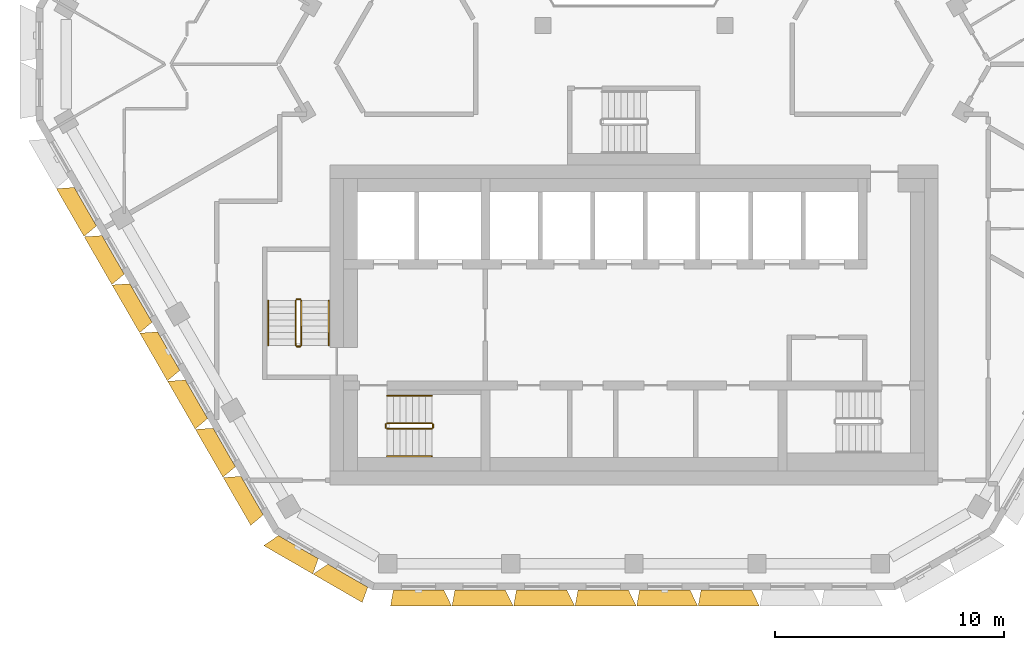
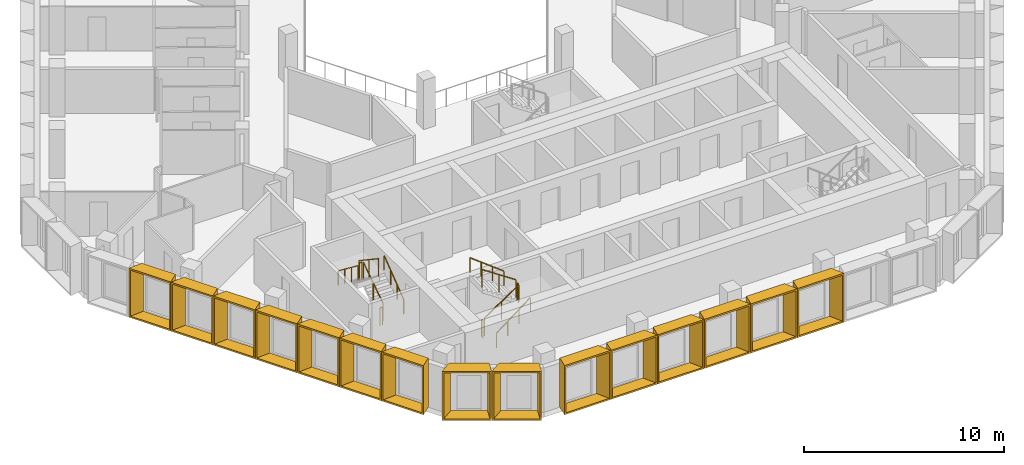
# One storey, part 14 of 18: 15 shading devices, 12 railings.
"""IFC4 building model written with IfcOpenShell, lengths in metres."""

from ifc_helpers import new_model, entity, si_unit, direction, frame, origin, origin_2d, place, context, subcontext, project, spatial, rectangle, extrude, source, transform, mapped, material, type_object, type_shapes, element, save


model = new_model("IFC4")

# Units and contexts
model_context = context("Model", 3, precision=1e-05, world=origin(), true_north=direction((0.0, 1.0)))
body_context = subcontext(model_context, "Body", "Model", "MODEL_VIEW")
ifc_project = project(units=[si_unit("LENGTHUNIT", "METRE"), si_unit("AREAUNIT", "SQUARE_METRE"), si_unit("VOLUMEUNIT", "CUBIC_METRE"), si_unit("PLANEANGLEUNIT", "RADIAN"), si_unit("MASSUNIT", "GRAM", prefix="KILO")], contexts=[model_context])

# Site, building, storey
site_placement = place(None, origin())
site = spatial("IfcSite", under=ifc_project, at=site_placement, CompositionType="ELEMENT")
building_placement = place(site_placement, origin())
building = spatial("IfcBuilding", under=site, at=building_placement, Name="Beryl Residences", CompositionType="ELEMENT")
storey_placement = place(building_placement, frame((0.0, 0.0, 190.199951171875)))
storey = spatial("IfcBuildingStorey", under=building, at=storey_placement, Name="L58", CompositionType="ELEMENT", Elevation=190.199951171875)

# Shading devices
ifc_material_1 = material(Name="Aluminium pale anodised", Category="aluminium")
shading_device_type_1 = type_object("IfcShadingDeviceType", Name="FR243-70B OUTER SKIN frame 700 mm deep, splay 26/10 deg, 2430 x 3000 mm cell", PredefinedType="USERDEFINED", material=ifc_material_1)
cartesian_point_1 = entity("IfcCartesianPoint", [-0.972412109375, 0.0])
cartesian_point_2 = entity("IfcCartesianPoint", [-0.883544921875, 0.10009765625])
cartesian_point_3 = entity("IfcCartesianPoint", [-1.31396484375, 0.0])
cartesian_point_4 = entity("IfcCartesianPoint", [-1.224853515625, 0.10009765625])
shared_shape_1 = source(origin(), body_context, "Body", "SweptSolid", [
    entity("IfcExtrudedAreaSolidTapered", entity("IfcArbitraryProfileDefWithVoids", "AREA", None, entity("IfcPolyline", [cartesian_point_1, entity("IfcCartesianPoint", [0.972412109375, 0.0]), entity("IfcCartesianPoint", [0.972412109375, 3.0]), entity("IfcCartesianPoint", [-0.972412109375, 3.0]), cartesian_point_1]), [entity("IfcPolyline", [cartesian_point_2, entity("IfcCartesianPoint", [0.891357421875, 0.10009765625]), entity("IfcCartesianPoint", [0.891357421875, 2.89990234375]), entity("IfcCartesianPoint", [-0.883544921875, 2.89990234375]), cartesian_point_2])]), entity("IfcAxis2Placement3D", entity("IfcCartesianPoint", [0.0, 0.0, 0.0]), entity("IfcDirection", [0.0, 1.0, 0.0]), entity("IfcDirection", [-1.0, 0.0, 0.0])), entity("IfcDirection", [0.0, 0.0, 1.0]), 0.699951171875, entity("IfcArbitraryProfileDefWithVoids", "AREA", None, entity("IfcPolyline", [cartesian_point_3, entity("IfcCartesianPoint", [1.095947265625, 0.0]), entity("IfcCartesianPoint", [1.095947265625, 3.0]), entity("IfcCartesianPoint", [-1.31396484375, 3.0]), cartesian_point_3]), [entity("IfcPolyline", [cartesian_point_4, entity("IfcCartesianPoint", [1.0146484375, 0.10009765625]), entity("IfcCartesianPoint", [1.0146484375, 2.89990234375]), entity("IfcCartesianPoint", [-1.224853515625, 2.89990234375]), cartesian_point_4])])),
])
type_shapes(shading_device_type_1, [shared_shape_1])
for number, where, z_axis, x_axis, name in (
    (1, (-23.9970703125, -6.833984375, 0.0), (0.0, 0.0, 1.0), (-0.5, 0.866025403784, 0.0), "FR243-70B frame L58 SW 2"),
    (2, (-22.781005859375, -8.93994140625, 0.0), (0.0, 0.0, 1.0), (-0.5, 0.866025403784, 0.0), "FR243-70B frame L58 SW 3"),
    (3, (-21.56494140625, -11.0458984375, 0.0), (0.0, 0.0, 1.0), (-0.5, 0.866025403784, 0.0), "FR243-70B frame L58 SW 4"),
    (4, (-20.35009765625, -13.152099609375, 0.0), (0.0, 0.0, 1.0), (-0.5, 0.866025403784, 0.0), "FR243-70B frame L58 SW 5"),
    (5, (-19.134033203125, -15.258056640625, 0.0), (0.0, 0.0, 1.0), (-0.5, 0.866025403784, 0.0), "FR243-70B frame L58 SW 6"),
    (6, (-17.91796875, -17.364990234375, 0.0), (0.0, 0.0, 1.0), (-0.5, 0.866025403784, 0.0), "FR243-70B frame L58 SW 7"),
    (7, (-16.701904296875, -19.470947265625, 0.0), (0.0, 0.0, 1.0), (-0.5, 0.866025403784, 0.0), "FR243-70B frame L58 SW 8"),
):
    element("IfcShadingDevice", number, at=place(storey_placement, frame(where, z_axis=z_axis, x_axis=x_axis)), inside=storey, type_object=shading_device_type_1, Name=name, ObjectType="OUTER SKIN", PredefinedType="USERDEFINED", context=body_context, shape_type="MappedRepresentation", body=[
        mapped(shared_shape_1, transform((0.0, 0.0, 0.0))),
    ])
ifc_material_2 = material(Name="Aluminium pale anodised", Category="aluminium")
shading_device_type_2 = type_object("IfcShadingDeviceType", Name="FR250-70B OUTER SKIN frame 700 mm deep, splay 26/10 deg, 2500 x 3000 mm cell", PredefinedType="USERDEFINED", material=ifc_material_2)
cartesian_point_5 = entity("IfcCartesianPoint", [-1.007568359375, 0.0])
cartesian_point_6 = entity("IfcCartesianPoint", [-0.91845703125, 0.10009765625])
cartesian_point_7 = entity("IfcCartesianPoint", [-1.348876953125, 0.0])
cartesian_point_8 = entity("IfcCartesianPoint", [-1.260009765625, 0.10009765625])
shared_shape_2 = source(origin(), body_context, "Body", "SweptSolid", [
    entity("IfcExtrudedAreaSolidTapered", entity("IfcArbitraryProfileDefWithVoids", "AREA", None, entity("IfcPolyline", [cartesian_point_5, entity("IfcCartesianPoint", [1.007568359375, 0.0]), entity("IfcCartesianPoint", [1.007568359375, 3.0]), entity("IfcCartesianPoint", [-1.007568359375, 3.0]), cartesian_point_5]), [entity("IfcPolyline", [cartesian_point_6, entity("IfcCartesianPoint", [0.92626953125, 0.10009765625]), entity("IfcCartesianPoint", [0.92626953125, 2.89990234375]), entity("IfcCartesianPoint", [-0.91845703125, 2.89990234375]), cartesian_point_6])]), entity("IfcAxis2Placement3D", entity("IfcCartesianPoint", [0.0, 0.0, 0.0]), entity("IfcDirection", [0.0, 1.0, 0.0]), entity("IfcDirection", [-1.0, 0.0, 0.0])), entity("IfcDirection", [0.0, 0.0, 1.0]), 0.699951171875, entity("IfcArbitraryProfileDefWithVoids", "AREA", None, entity("IfcPolyline", [cartesian_point_7, entity("IfcCartesianPoint", [1.130859375, 0.0]), entity("IfcCartesianPoint", [1.130859375, 3.0]), entity("IfcCartesianPoint", [-1.348876953125, 3.0]), cartesian_point_7]), [entity("IfcPolyline", [cartesian_point_8, entity("IfcCartesianPoint", [1.0498046875, 0.10009765625]), entity("IfcCartesianPoint", [1.0498046875, 2.89990234375]), entity("IfcCartesianPoint", [-1.260009765625, 2.89990234375]), cartesian_point_8])])),
])
type_shapes(shading_device_type_2, [shared_shape_2])
for number, where, z_axis, x_axis, name in (
    (8, (-14.677978515625, -21.72509765625, 0.0), (0.0, 0.0, 1.0), (-0.866025403784, 0.5, 0.0), "FR250-70B frame L58 SW-S 1"),
    (9, (-12.513916015625, -22.97509765625, 0.0), (0.0, 0.0, 1.0), (-0.866025403784, 0.5, 0.0), "FR250-70B frame L58 SW-S 2"),
):
    element("IfcShadingDevice", number, at=place(storey_placement, frame(where, z_axis=z_axis, x_axis=x_axis)), inside=storey, type_object=shading_device_type_2, Name=name, ObjectType="OUTER SKIN", PredefinedType="USERDEFINED", context=body_context, shape_type="MappedRepresentation", body=[
        mapped(shared_shape_2, transform((0.0, 0.0, 0.0))),
    ])
ifc_material_3 = material(Name="Aluminium pale anodised", Category="aluminium")
shading_device_type_3 = type_object("IfcShadingDeviceType", Name="FR269-70C OUTER SKIN frame 700 mm deep, splay 10/26 deg, 2690 x 3000 mm cell", PredefinedType="USERDEFINED", material=ifc_material_3)
cartesian_point_9 = entity("IfcCartesianPoint", [-1.1025390625, 0.0])
cartesian_point_10 = entity("IfcCartesianPoint", [-1.021240234375, 0.10009765625])
cartesian_point_11 = entity("IfcCartesianPoint", [-1.225830078125, 0.0])
cartesian_point_12 = entity("IfcCartesianPoint", [-1.144775390625, 0.10009765625])
shared_shape_3 = source(origin(), body_context, "Body", "SweptSolid", [
    entity("IfcExtrudedAreaSolidTapered", entity("IfcArbitraryProfileDefWithVoids", "AREA", None, entity("IfcPolyline", [cartesian_point_9, entity("IfcCartesianPoint", [1.1025390625, 0.0]), entity("IfcCartesianPoint", [1.1025390625, 3.0]), entity("IfcCartesianPoint", [-1.1025390625, 3.0]), cartesian_point_9]), [entity("IfcPolyline", [cartesian_point_10, entity("IfcCartesianPoint", [1.013427734375, 0.10009765625]), entity("IfcCartesianPoint", [1.013427734375, 2.89990234375]), entity("IfcCartesianPoint", [-1.021240234375, 2.89990234375]), cartesian_point_10])]), entity("IfcAxis2Placement3D", entity("IfcCartesianPoint", [0.0, 0.0, 0.0]), entity("IfcDirection", [0.0, 1.0, 0.0]), entity("IfcDirection", [-1.0, 0.0, 0.0])), entity("IfcDirection", [0.0, 0.0, 1.0]), 0.699951171875, entity("IfcArbitraryProfileDefWithVoids", "AREA", None, entity("IfcPolyline", [cartesian_point_11, entity("IfcCartesianPoint", [1.44384765625, 0.0]), entity("IfcCartesianPoint", [1.44384765625, 3.0]), entity("IfcCartesianPoint", [-1.225830078125, 3.0]), cartesian_point_11]), [entity("IfcPolyline", [cartesian_point_12, entity("IfcCartesianPoint", [1.35498046875, 0.10009765625]), entity("IfcCartesianPoint", [1.35498046875, 2.89990234375]), entity("IfcCartesianPoint", [-1.144775390625, 2.89990234375]), cartesian_point_12])])),
])
type_shapes(shading_device_type_3, [shared_shape_3])
for number, where, z_axis, x_axis, name in (
    (10, (-9.4208984375, -23.60009765625, 0.0), (0.0, 0.0, 1.0), (-1.0, 0.0, 0.0), "FR269-70C frame L58 S 1"),
    (11, (-6.72900390625, -23.60009765625, 0.0), (0.0, 0.0, 1.0), (-1.0, 0.0, 0.0), "FR269-70C frame L58 S 2"),
    (12, (-4.037109375, -23.60009765625, 0.0), (0.0, 0.0, 1.0), (-1.0, 0.0, 0.0), "FR269-70C frame L58 S 3"),
    (13, (-1.344970703125, -23.60009765625, 0.0), (0.0, 0.0, 1.0), (-1.0, 0.0, 0.0), "FR269-70C frame L58 S 4"),
    (14, (1.346923828125, -23.60009765625, 0.0), (0.0, 0.0, 1.0), (-1.0, 0.0, 0.0), "FR269-70C frame L58 S 5"),
    (15, (4.0390625, -23.60009765625, 0.0), (0.0, 0.0, 1.0), (-1.0, 0.0, 0.0), "FR269-70C frame L58 S 6"),
):
    element("IfcShadingDevice", number, at=place(storey_placement, frame(where, z_axis=z_axis, x_axis=x_axis)), inside=storey, type_object=shading_device_type_3, Name=name, ObjectType="OUTER SKIN", PredefinedType="USERDEFINED", context=body_context, shape_type="MappedRepresentation", body=[
        mapped(shared_shape_3, transform((0.0, 0.0, 0.0))),
    ])

# Railings
ifc_material_4 = material(Name="Stainless steel balustrade with glass infill", Category="steel")
railing_type_1 = type_object("IfcRailingType", Name="SG1 stair guard 1100 mm", PredefinedType="GUARDRAIL", material=ifc_material_4)
railing_1_placement = place(storey_placement, frame((-10.800048828125, -16.550048828125, 0.1875)))
element("IfcRailing", 16, at=railing_1_placement, inside=storey, type_object=railing_type_1, Name="L58 ST-1 stair guard 1", PredefinedType="GUARDRAIL", context=body_context, shape_type="SweptSolid", body=[
    extrude(rectangle(XDim=0.048095703125, YDim=0.048095703125, at=origin_2d()), frame((0.0, 0.0, 1.076171875), z_axis=(0.830902050051, 0.0, 0.556418712142), x_axis=(0.0, 1.0, 0.0)), (0.0, 0.0, 1.0), 2.35888671875),
    extrude(rectangle(XDim=0.0419921875, YDim=0.0419921875, at=origin_2d()), origin(), (0.0, 0.0, 1.0), 1.052001953125),
    extrude(rectangle(XDim=0.0419921875, YDim=0.0419921875, at=origin_2d()), frame((0.97998046875, 0.0, 0.65625)), (0.0, 0.0, 1.0), 1.052001953125),
    extrude(rectangle(XDim=0.0419921875, YDim=0.0419921875, at=origin_2d()), frame((1.9599609375, 0.0, 1.3125)), (0.0, 0.0, 1.0), 1.052001953125),
])
railing_2_placement = place(storey_placement, frame((-8.7900390625, -16.5, 1.5)))
element("IfcRailing", 17, at=railing_2_placement, inside=storey, type_object=railing_type_1, Name="L58 ST-1 stair guard 2", PredefinedType="GUARDRAIL", context=body_context, shape_type="SweptSolid", body=[
    extrude(rectangle(XDim=0.048095703125, YDim=0.048095703125, at=origin_2d()), frame((0.0, 0.0, 1.076171875), z_axis=(0.0, 1.0, 0.0), x_axis=(-1.0, 0.0, 0.0)), (0.0, 0.0, 1.0), 0.14990234375),
    extrude(rectangle(XDim=0.0419921875, YDim=0.0419921875, at=origin_2d()), origin(), (0.0, 0.0, 1.0), 1.052001953125),
    extrude(rectangle(XDim=0.0419921875, YDim=0.0419921875, at=origin_2d()), frame((0.0, 0.14990234375, 0.0)), (0.0, 0.0, 1.0), 1.052001953125),
])
railing_3_placement = place(storey_placement, frame((-8.840087890625, -16.300048828125, 1.6875)))
element("IfcRailing", 18, at=railing_3_placement, inside=storey, type_object=railing_type_1, Name="L58 ST-1 stair guard 3", PredefinedType="GUARDRAIL", context=body_context, shape_type="SweptSolid", body=[
    extrude(rectangle(XDim=0.048095703125, YDim=0.048095703125, at=origin_2d()), frame((0.0, 0.0, 1.076171875), z_axis=(-0.830902050051, 0.0, 0.556418712142), x_axis=(0.0, -1.0, 0.0)), (0.0, 0.0, 1.0), 2.35888671875),
    extrude(rectangle(XDim=0.0419921875, YDim=0.0419921875, at=origin_2d()), origin(), (0.0, 0.0, 1.0), 1.052001953125),
    extrude(rectangle(XDim=0.0419921875, YDim=0.0419921875, at=origin_2d()), frame((-0.97998046875, 0.0, 0.65625)), (0.0, 0.0, 1.0), 1.052001953125),
    extrude(rectangle(XDim=0.0419921875, YDim=0.0419921875, at=origin_2d()), frame((-1.9599609375, 0.0, 1.3125)), (0.0, 0.0, 1.0), 1.052001953125),
])
railing_4_placement = place(storey_placement, frame((-10.85009765625, -16.5, 0.0)))
element("IfcRailing", 19, at=railing_4_placement, inside=storey, type_object=railing_type_1, Name="L58 ST-1 stair guard 4", PredefinedType="GUARDRAIL", context=body_context, shape_type="SweptSolid", body=[
    extrude(rectangle(XDim=0.048095703125, YDim=0.048095703125, at=origin_2d()), frame((0.0, 0.0, 1.076171875), z_axis=(0.0, 1.0, 0.0), x_axis=(-1.0, 0.0, 0.0)), (0.0, 0.0, 1.0), 0.14990234375),
    extrude(rectangle(XDim=0.0419921875, YDim=0.0419921875, at=origin_2d()), origin(), (0.0, 0.0, 1.0), 1.052001953125),
    extrude(rectangle(XDim=0.0419921875, YDim=0.0419921875, at=origin_2d()), frame((0.0, 0.14990234375, 0.0)), (0.0, 0.0, 1.0), 1.052001953125),
])
railing_5_placement = place(storey_placement, frame((-14.550048828125, -12.89990234375, 0.1875)))
element("IfcRailing", 20, at=railing_5_placement, inside=storey, type_object=railing_type_1, Name="L58 ST-2 stair guard 1", PredefinedType="GUARDRAIL", context=body_context, shape_type="SweptSolid", body=[
    extrude(rectangle(XDim=0.048095703125, YDim=0.048095703125, at=origin_2d()), frame((0.0, 0.0, 1.076171875), z_axis=(0.0, 0.830902050051, 0.556418712142), x_axis=(-1.0, 0.0, 0.0)), (0.0, 0.0, 1.0), 2.35888671875),
    extrude(rectangle(XDim=0.0419921875, YDim=0.0419921875, at=origin_2d()), origin(), (0.0, 0.0, 1.0), 1.052001953125),
    extrude(rectangle(XDim=0.0419921875, YDim=0.0419921875, at=origin_2d()), frame((0.0, 0.97998046875, 0.65625)), (0.0, 0.0, 1.0), 1.052001953125),
    extrude(rectangle(XDim=0.0419921875, YDim=0.0419921875, at=origin_2d()), frame((0.0, 1.9599609375, 1.3125)), (0.0, 0.0, 1.0), 1.052001953125),
])
railing_6_placement = place(storey_placement, frame((-14.60009765625, -10.889892578125, 1.5)))
element("IfcRailing", 21, at=railing_6_placement, inside=storey, type_object=railing_type_1, Name="L58 ST-2 stair guard 2", PredefinedType="GUARDRAIL", context=body_context, shape_type="SweptSolid", body=[
    extrude(rectangle(XDim=0.048095703125, YDim=0.048095703125, at=origin_2d()), frame((0.0, 0.0, 1.076171875), z_axis=(-1.0, 0.0, 0.0), x_axis=(0.0, -1.0, 0.0)), (0.0, 0.0, 1.0), 0.14990234375),
    extrude(rectangle(XDim=0.0419921875, YDim=0.0419921875, at=origin_2d()), origin(), (0.0, 0.0, 1.0), 1.052001953125),
    extrude(rectangle(XDim=0.0419921875, YDim=0.0419921875, at=origin_2d()), frame((-0.14990234375, 0.0, 0.0)), (0.0, 0.0, 1.0), 1.052001953125),
])
railing_7_placement = place(storey_placement, frame((-14.800048828125, -10.93994140625, 1.6875)))
element("IfcRailing", 22, at=railing_7_placement, inside=storey, type_object=railing_type_1, Name="L58 ST-2 stair guard 3", PredefinedType="GUARDRAIL", context=body_context, shape_type="SweptSolid", body=[
    extrude(rectangle(XDim=0.048095703125, YDim=0.048095703125, at=origin_2d()), frame((0.0, 0.0, 1.076171875), z_axis=(0.0, -0.830902050051, 0.556418712142), x_axis=(1.0, 0.0, 0.0)), (0.0, 0.0, 1.0), 2.35888671875),
    extrude(rectangle(XDim=0.0419921875, YDim=0.0419921875, at=origin_2d()), origin(), (0.0, 0.0, 1.0), 1.052001953125),
    extrude(rectangle(XDim=0.0419921875, YDim=0.0419921875, at=origin_2d()), frame((0.0, -0.97998046875, 0.65625)), (0.0, 0.0, 1.0), 1.052001953125),
    extrude(rectangle(XDim=0.0419921875, YDim=0.0419921875, at=origin_2d()), frame((0.0, -1.9599609375, 1.3125)), (0.0, 0.0, 1.0), 1.052001953125),
])
railing_8_placement = place(storey_placement, frame((-14.60009765625, -12.949951171875, 0.0)))
element("IfcRailing", 23, at=railing_8_placement, inside=storey, type_object=railing_type_1, Name="L58 ST-2 stair guard 4", PredefinedType="GUARDRAIL", context=body_context, shape_type="SweptSolid", body=[
    extrude(rectangle(XDim=0.048095703125, YDim=0.048095703125, at=origin_2d()), frame((0.0, 0.0, 1.076171875), z_axis=(-1.0, 0.0, 0.0), x_axis=(0.0, -1.0, 0.0)), (0.0, 0.0, 1.0), 0.14990234375),
    extrude(rectangle(XDim=0.0419921875, YDim=0.0419921875, at=origin_2d()), origin(), (0.0, 0.0, 1.0), 1.052001953125),
    extrude(rectangle(XDim=0.0419921875, YDim=0.0419921875, at=origin_2d()), frame((-0.14990234375, 0.0, 0.0)), (0.0, 0.0, 1.0), 1.052001953125),
])
ifc_material_5 = material(Name="Stainless steel handrail", Category="steel")
railing_type_2 = type_object("IfcRailingType", Name="SRL1 stair handrail 900 mm", PredefinedType="HANDRAIL", material=ifc_material_5)
railing_9_placement = place(storey_placement, frame((-10.800048828125, -17.75, 0.1875)))
element("IfcRailing", 24, at=railing_9_placement, inside=storey, type_object=railing_type_2, Name="L58 ST-1 stair handrail 1", PredefinedType="HANDRAIL", context=body_context, shape_type="SweptSolid", body=[
    extrude(rectangle(XDim=0.048095703125, YDim=0.048095703125, at=origin_2d()), frame((0.0, 0.0, 0.8759765625), z_axis=(0.794121922505, 0.0, 0.607758481798), x_axis=(0.0, 1.0, 0.0)), (0.0, 0.0, 1.0), 2.468017578125),
    extrude(rectangle(XDim=0.0419921875, YDim=0.0419921875, at=origin_2d()), origin(), (0.0, 0.0, 1.0), 0.851806640625),
    extrude(rectangle(XDim=0.0419921875, YDim=0.0419921875, at=origin_2d()), frame((0.6533203125, 0.0, 0.5)), (0.0, 0.0, 1.0), 0.851806640625),
    extrude(rectangle(XDim=0.0419921875, YDim=0.0419921875, at=origin_2d()), frame((1.306640625, 0.0, 1.0)), (0.0, 0.0, 1.0), 0.851806640625),
    extrude(rectangle(XDim=0.0419921875, YDim=0.0419921875, at=origin_2d()), frame((1.9599609375, 0.0, 1.5)), (0.0, 0.0, 1.0), 0.851806640625),
])
railing_10_placement = place(storey_placement, frame((-8.840087890625, -15.10009765625, 1.6875)))
element("IfcRailing", 25, at=railing_10_placement, inside=storey, type_object=railing_type_2, Name="L58 ST-1 stair handrail 2", PredefinedType="HANDRAIL", context=body_context, shape_type="SweptSolid", body=[
    extrude(rectangle(XDim=0.048095703125, YDim=0.048095703125, at=origin_2d()), frame((0.0, 0.0, 0.8759765625), z_axis=(-0.794121922505, 0.0, 0.607758481798), x_axis=(0.0, -1.0, 0.0)), (0.0, 0.0, 1.0), 2.468017578125),
    extrude(rectangle(XDim=0.0419921875, YDim=0.0419921875, at=origin_2d()), origin(), (0.0, 0.0, 1.0), 0.851806640625),
    extrude(rectangle(XDim=0.0419921875, YDim=0.0419921875, at=origin_2d()), frame((-0.6533203125, 0.0, 0.5)), (0.0, 0.0, 1.0), 0.851806640625),
    extrude(rectangle(XDim=0.0419921875, YDim=0.0419921875, at=origin_2d()), frame((-1.306640625, 0.0, 1.0)), (0.0, 0.0, 1.0), 0.851806640625),
    extrude(rectangle(XDim=0.0419921875, YDim=0.0419921875, at=origin_2d()), frame((-1.9599609375, 0.0, 1.5)), (0.0, 0.0, 1.0), 0.851806640625),
])
railing_11_placement = place(storey_placement, frame((-13.35009765625, -12.89990234375, 0.1875)))
element("IfcRailing", 26, at=railing_11_placement, inside=storey, type_object=railing_type_2, Name="L58 ST-2 stair handrail 1", PredefinedType="HANDRAIL", context=body_context, shape_type="SweptSolid", body=[
    extrude(rectangle(XDim=0.048095703125, YDim=0.048095703125, at=origin_2d()), frame((0.0, 0.0, 0.8759765625), z_axis=(0.0, 0.794121922505, 0.607758481798), x_axis=(-1.0, 0.0, 0.0)), (0.0, 0.0, 1.0), 2.468017578125),
    extrude(rectangle(XDim=0.0419921875, YDim=0.0419921875, at=origin_2d()), origin(), (0.0, 0.0, 1.0), 0.851806640625),
    extrude(rectangle(XDim=0.0419921875, YDim=0.0419921875, at=origin_2d()), frame((0.0, 0.6533203125, 0.5)), (0.0, 0.0, 1.0), 0.851806640625),
    extrude(rectangle(XDim=0.0419921875, YDim=0.0419921875, at=origin_2d()), frame((0.0, 1.306640625, 1.0)), (0.0, 0.0, 1.0), 0.851806640625),
    extrude(rectangle(XDim=0.0419921875, YDim=0.0419921875, at=origin_2d()), frame((0.0, 1.9599609375, 1.5)), (0.0, 0.0, 1.0), 0.851806640625),
])
railing_12_placement = place(storey_placement, frame((-16.0, -10.93994140625, 1.6875)))
element("IfcRailing", 27, at=railing_12_placement, inside=storey, type_object=railing_type_2, Name="L58 ST-2 stair handrail 2", PredefinedType="HANDRAIL", context=body_context, shape_type="SweptSolid", body=[
    extrude(rectangle(XDim=0.048095703125, YDim=0.048095703125, at=origin_2d()), frame((0.0, 0.0, 0.8759765625), z_axis=(0.0, -0.794121922505, 0.607758481798), x_axis=(1.0, 0.0, 0.0)), (0.0, 0.0, 1.0), 2.468017578125),
    extrude(rectangle(XDim=0.0419921875, YDim=0.0419921875, at=origin_2d()), origin(), (0.0, 0.0, 1.0), 0.851806640625),
    extrude(rectangle(XDim=0.0419921875, YDim=0.0419921875, at=origin_2d()), frame((0.0, -0.6533203125, 0.5)), (0.0, 0.0, 1.0), 0.851806640625),
    extrude(rectangle(XDim=0.0419921875, YDim=0.0419921875, at=origin_2d()), frame((0.0, -1.306640625, 1.0)), (0.0, 0.0, 1.0), 0.851806640625),
    extrude(rectangle(XDim=0.0419921875, YDim=0.0419921875, at=origin_2d()), frame((0.0, -1.9599609375, 1.5)), (0.0, 0.0, 1.0), 0.851806640625),
])

save(model, "model.ifc")
